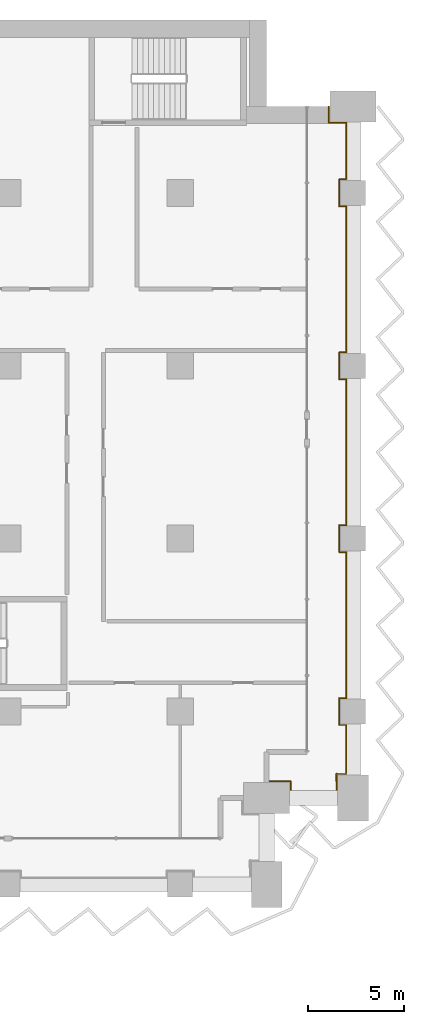
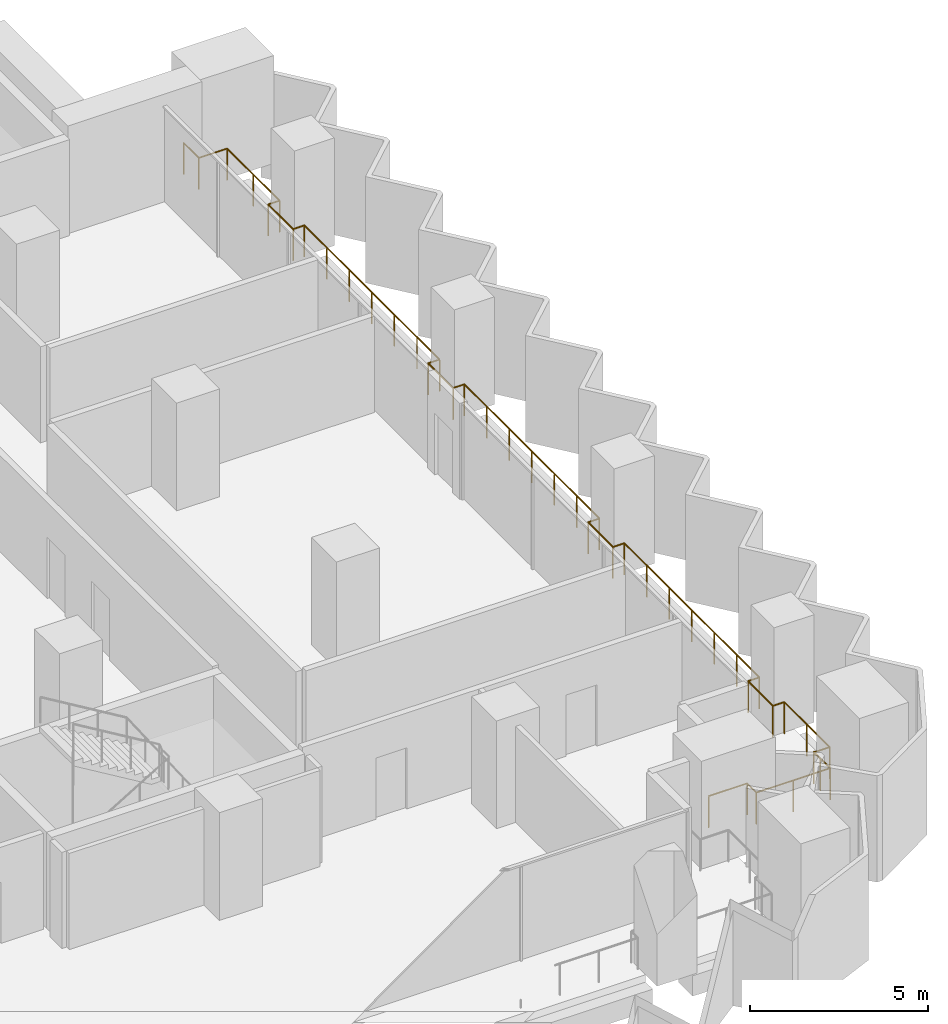
# One storey, part 28 of 28: 1 railing.
"""IFC4 building model written with IfcOpenShell, lengths in metres."""

from ifc_helpers import new_model, si_unit, direction, frame, origin, origin_2d, place, context, subcontext, project, spatial, circle, extrude, material, type_object, element, save


model = new_model("IFC4")

# Units and contexts
model_context = context("Model", 3, precision=1e-05, world=origin(), true_north=direction((0.0, 1.0)))
body_context = subcontext(model_context, "Body", "Model", "MODEL_VIEW")
ifc_project = project(units=[si_unit("LENGTHUNIT", "METRE"), si_unit("AREAUNIT", "SQUARE_METRE"), si_unit("VOLUMEUNIT", "CUBIC_METRE"), si_unit("PLANEANGLEUNIT", "RADIAN"), si_unit("MASSUNIT", "GRAM", prefix="KILO")], contexts=[model_context])

# Site, building, storey
site_placement = place(None, origin())
site = spatial("IfcSite", under=ifc_project, at=site_placement, CompositionType="ELEMENT")
building_placement = place(site_placement, origin())
building = spatial("IfcBuilding", under=site, at=building_placement, Name="Hunhe Ridgeline Campus", CompositionType="ELEMENT")
storey_placement = place(building_placement, frame((0.0, 0.0, 43.199951171875)))
storey = spatial("IfcBuildingStorey", under=building, at=storey_placement, Name="L09", CompositionType="ELEMENT", Elevation=43.199951171875)

# Railing
ifc_material = material(Name="Steel Q355", Category="steel")
railing_type = type_object("IfcRailingType", Name="Loggia guard 1100 Steel Q355", PredefinedType="GUARDRAIL", material=ifc_material)
railing_placement = place(storey_placement, frame((94.5, 59.3701171875, 0.0)))
element("IfcRailing", 1, at=railing_placement, inside=storey, type_object=railing_type, Name="Loggia guard 3", PredefinedType="GUARDRAIL", context=body_context, shape_type="SweptSolid", body=[
    extrude(circle(Radius=0.02392578125, at=origin_2d()), frame((0.0, 0.0, 1.076171875), z_axis=(1.0, 0.0, 0.0), x_axis=(0.0, 1.0, 0.0)), (0.0, 0.0, 1.0), 1.25),
    extrude(circle(Radius=0.02392578125, at=origin_2d()), frame((1.25, 0.0, 1.076171875), z_axis=(0.0, -1.0, 0.0), x_axis=(1.0, 0.0, 0.0)), (0.0, 0.0, 1.0), 0.52001953125),
    extrude(circle(Radius=0.02392578125, at=origin_2d()), frame((1.25, -0.52001953125, 1.076171875), z_axis=(1.0, 0.0, 0.0), x_axis=(0.0, 1.0, 0.0)), (0.0, 0.0, 1.0), 2.39990234375),
    extrude(circle(Radius=0.02392578125, at=origin_2d()), frame((3.64990234375, -0.52001953125, 1.076171875), z_axis=(0.0, 1.0, 0.0), x_axis=(-1.0, 0.0, 0.0)), (0.0, 0.0, 1.0), 0.919921875),
    extrude(circle(Radius=0.02392578125, at=origin_2d()), frame((3.64990234375, 0.39990234375, 1.076171875), z_axis=(-0.049998438503, -0.998749295943, 0.0), x_axis=(0.998749295943, -0.049998438503, 0.0)), (0.0, 0.0, 1.0), 0.400390625),
    extrude(circle(Radius=0.02392578125, at=origin_2d()), frame((3.6298828125, 0.0, 1.076171875), z_axis=(0.0, 1.0, 0.0), x_axis=(-1.0, 0.0, 0.0)), (0.0, 0.0, 1.0), 0.3798828125),
    extrude(circle(Radius=0.02392578125, at=origin_2d()), frame((3.6298828125, 0.3798828125, 1.076171875), z_axis=(1.0, 0.0, 0.0), x_axis=(0.0, 1.0, 0.0)), (0.0, 0.0, 1.0), 0.52001953125),
    extrude(circle(Radius=0.02392578125, at=origin_2d()), frame((4.14990234375, 0.3798828125, 1.076171875), z_axis=(0.0, 1.0, 0.0), x_axis=(-1.0, 0.0, 0.0)), (0.0, 0.0, 1.0), 2.550048828125),
    extrude(circle(Radius=0.02392578125, at=origin_2d()), frame((4.14990234375, 2.929931640625, 1.076171875), z_axis=(-1.0, 0.0, 0.0), x_axis=(0.0, -1.0, 0.0)), (0.0, 0.0, 1.0), 0.369873046875),
    extrude(circle(Radius=0.02392578125, at=origin_2d()), frame((3.780029296875, 2.929931640625, 1.076171875), z_axis=(0.0, 1.0, 0.0), x_axis=(-1.0, 0.0, 0.0)), (0.0, 0.0, 1.0), 1.39990234375),
    extrude(circle(Radius=0.02392578125, at=origin_2d()), frame((3.780029296875, 4.329833984375, 1.076171875), z_axis=(1.0, 0.0, 0.0), x_axis=(0.0, 1.0, 0.0)), (0.0, 0.0, 1.0), 0.369873046875),
    extrude(circle(Radius=0.02392578125, at=origin_2d()), frame((4.14990234375, 4.329833984375, 1.076171875), z_axis=(0.0, 1.0, 0.0), x_axis=(-1.0, 0.0, 0.0)), (0.0, 0.0, 1.0), 7.60009765625),
    extrude(circle(Radius=0.02392578125, at=origin_2d()), frame((4.14990234375, 11.929931640625, 1.076171875), z_axis=(-1.0, 0.0, 0.0), x_axis=(0.0, -1.0, 0.0)), (0.0, 0.0, 1.0), 0.369873046875),
    extrude(circle(Radius=0.02392578125, at=origin_2d()), frame((3.780029296875, 11.929931640625, 1.076171875), z_axis=(0.0, 1.0, 0.0), x_axis=(-1.0, 0.0, 0.0)), (0.0, 0.0, 1.0), 1.39990234375),
    extrude(circle(Radius=0.02392578125, at=origin_2d()), frame((3.780029296875, 13.329833984375, 1.076171875), z_axis=(1.0, 0.0, 0.0), x_axis=(0.0, 1.0, 0.0)), (0.0, 0.0, 1.0), 0.369873046875),
    extrude(circle(Radius=0.02392578125, at=origin_2d()), frame((4.14990234375, 13.329833984375, 1.076171875), z_axis=(0.0, 1.0, 0.0), x_axis=(-1.0, 0.0, 0.0)), (0.0, 0.0, 1.0), 7.60009765625),
    extrude(circle(Radius=0.02392578125, at=origin_2d()), frame((4.14990234375, 20.929931640625, 1.076171875), z_axis=(-1.0, 0.0, 0.0), x_axis=(0.0, -1.0, 0.0)), (0.0, 0.0, 1.0), 0.369873046875),
    extrude(circle(Radius=0.02392578125, at=origin_2d()), frame((3.780029296875, 20.929931640625, 1.076171875), z_axis=(0.0, 1.0, 0.0), x_axis=(-1.0, 0.0, 0.0)), (0.0, 0.0, 1.0), 1.39990234375),
    extrude(circle(Radius=0.02392578125, at=origin_2d()), frame((3.780029296875, 22.329833984375, 1.076171875), z_axis=(1.0, 0.0, 0.0), x_axis=(0.0, 1.0, 0.0)), (0.0, 0.0, 1.0), 0.369873046875),
    extrude(circle(Radius=0.02392578125, at=origin_2d()), frame((4.14990234375, 22.329833984375, 1.076171875), z_axis=(0.0, 1.0, 0.0), x_axis=(-1.0, 0.0, 0.0)), (0.0, 0.0, 1.0), 7.60009765625),
    extrude(circle(Radius=0.02392578125, at=origin_2d()), frame((4.14990234375, 29.929931640625, 1.076171875), z_axis=(-1.0, 0.0, 0.0), x_axis=(0.0, -1.0, 0.0)), (0.0, 0.0, 1.0), 0.369873046875),
    extrude(circle(Radius=0.02392578125, at=origin_2d()), frame((3.780029296875, 29.929931640625, 1.076171875), z_axis=(0.0, 1.0, 0.0), x_axis=(-1.0, 0.0, 0.0)), (0.0, 0.0, 1.0), 1.39990234375),
    extrude(circle(Radius=0.02392578125, at=origin_2d()), frame((3.780029296875, 31.329833984375, 1.076171875), z_axis=(1.0, 0.0, 0.0), x_axis=(0.0, 1.0, 0.0)), (0.0, 0.0, 1.0), 0.369873046875),
    extrude(circle(Radius=0.02392578125, at=origin_2d()), frame((4.14990234375, 31.329833984375, 1.076171875), z_axis=(0.0, 1.0, 0.0), x_axis=(-1.0, 0.0, 0.0)), (0.0, 0.0, 1.0), 2.949951171875),
    extrude(circle(Radius=0.02392578125, at=origin_2d()), frame((4.14990234375, 34.27978515625, 1.076171875), z_axis=(-1.0, 0.0, 0.0), x_axis=(0.0, -1.0, 0.0)), (0.0, 0.0, 1.0), 0.919921875),
    extrude(circle(Radius=0.02392578125, at=origin_2d()), frame((3.22998046875, 34.27978515625, 1.076171875), z_axis=(0.0, 1.0, 0.0), x_axis=(-1.0, 0.0, 0.0)), (0.0, 0.0, 1.0), 0.85009765625),
    extrude(circle(Radius=0.02099609375, at=origin_2d()), origin(), (0.0, 0.0, 1.0), 1.052001953125),
    extrude(circle(Radius=0.02099609375, at=origin_2d()), frame((1.25, 0.0, 0.0)), (0.0, 0.0, 1.0), 1.052001953125),
    extrude(circle(Radius=0.02099609375, at=origin_2d()), frame((1.25, -0.52001953125, 0.0)), (0.0, 0.0, 1.0), 1.052001953125),
    extrude(circle(Radius=0.02099609375, at=origin_2d()), frame((2.449951171875, -0.52001953125, 0.0)), (0.0, 0.0, 1.0), 1.052001953125),
    extrude(circle(Radius=0.02099609375, at=origin_2d()), frame((3.64990234375, -0.52001953125, 0.0)), (0.0, 0.0, 1.0), 1.052001953125),
    extrude(circle(Radius=0.02099609375, at=origin_2d()), frame((3.64990234375, 0.39990234375, 0.0)), (0.0, 0.0, 1.0), 1.052001953125),
    extrude(circle(Radius=0.02099609375, at=origin_2d()), frame((3.6298828125, 0.0, 0.0)), (0.0, 0.0, 1.0), 1.052001953125),
    extrude(circle(Radius=0.02099609375, at=origin_2d()), frame((3.6298828125, 0.3798828125, 0.0)), (0.0, 0.0, 1.0), 1.052001953125),
    extrude(circle(Radius=0.02099609375, at=origin_2d()), frame((4.14990234375, 0.3798828125, 0.0)), (0.0, 0.0, 1.0), 1.052001953125),
    extrude(circle(Radius=0.02099609375, at=origin_2d()), frame((4.14990234375, 1.65478515625, 0.0)), (0.0, 0.0, 1.0), 1.052001953125),
    extrude(circle(Radius=0.02099609375, at=origin_2d()), frame((4.14990234375, 2.929931640625, 0.0)), (0.0, 0.0, 1.0), 1.052001953125),
    extrude(circle(Radius=0.02099609375, at=origin_2d()), frame((3.780029296875, 2.929931640625, 0.0)), (0.0, 0.0, 1.0), 1.052001953125),
    extrude(circle(Radius=0.02099609375, at=origin_2d()), frame((3.780029296875, 4.329833984375, 0.0)), (0.0, 0.0, 1.0), 1.052001953125),
    extrude(circle(Radius=0.02099609375, at=origin_2d()), frame((4.14990234375, 4.329833984375, 0.0)), (0.0, 0.0, 1.0), 1.052001953125),
    extrude(circle(Radius=0.02099609375, at=origin_2d()), frame((4.14990234375, 5.596435546875, 0.0)), (0.0, 0.0, 1.0), 1.052001953125),
    extrude(circle(Radius=0.02099609375, at=origin_2d()), frame((4.14990234375, 6.86328125, 0.0)), (0.0, 0.0, 1.0), 1.052001953125),
    extrude(circle(Radius=0.02099609375, at=origin_2d()), frame((4.14990234375, 8.1298828125, 0.0)), (0.0, 0.0, 1.0), 1.052001953125),
    extrude(circle(Radius=0.02099609375, at=origin_2d()), frame((4.14990234375, 9.396484375, 0.0)), (0.0, 0.0, 1.0), 1.052001953125),
    extrude(circle(Radius=0.02099609375, at=origin_2d()), frame((4.14990234375, 10.663330078125, 0.0)), (0.0, 0.0, 1.0), 1.052001953125),
    extrude(circle(Radius=0.02099609375, at=origin_2d()), frame((4.14990234375, 11.929931640625, 0.0)), (0.0, 0.0, 1.0), 1.052001953125),
    extrude(circle(Radius=0.02099609375, at=origin_2d()), frame((3.780029296875, 11.929931640625, 0.0)), (0.0, 0.0, 1.0), 1.052001953125),
    extrude(circle(Radius=0.02099609375, at=origin_2d()), frame((3.780029296875, 13.329833984375, 0.0)), (0.0, 0.0, 1.0), 1.052001953125),
    extrude(circle(Radius=0.02099609375, at=origin_2d()), frame((4.14990234375, 13.329833984375, 0.0)), (0.0, 0.0, 1.0), 1.052001953125),
    extrude(circle(Radius=0.02099609375, at=origin_2d()), frame((4.14990234375, 14.596435546875, 0.0)), (0.0, 0.0, 1.0), 1.052001953125),
    extrude(circle(Radius=0.02099609375, at=origin_2d()), frame((4.14990234375, 15.86328125, 0.0)), (0.0, 0.0, 1.0), 1.052001953125),
    extrude(circle(Radius=0.02099609375, at=origin_2d()), frame((4.14990234375, 17.1298828125, 0.0)), (0.0, 0.0, 1.0), 1.052001953125),
    extrude(circle(Radius=0.02099609375, at=origin_2d()), frame((4.14990234375, 18.396484375, 0.0)), (0.0, 0.0, 1.0), 1.052001953125),
    extrude(circle(Radius=0.02099609375, at=origin_2d()), frame((4.14990234375, 19.663330078125, 0.0)), (0.0, 0.0, 1.0), 1.052001953125),
    extrude(circle(Radius=0.02099609375, at=origin_2d()), frame((4.14990234375, 20.929931640625, 0.0)), (0.0, 0.0, 1.0), 1.052001953125),
    extrude(circle(Radius=0.02099609375, at=origin_2d()), frame((3.780029296875, 20.929931640625, 0.0)), (0.0, 0.0, 1.0), 1.052001953125),
    extrude(circle(Radius=0.02099609375, at=origin_2d()), frame((3.780029296875, 22.329833984375, 0.0)), (0.0, 0.0, 1.0), 1.052001953125),
    extrude(circle(Radius=0.02099609375, at=origin_2d()), frame((4.14990234375, 22.329833984375, 0.0)), (0.0, 0.0, 1.0), 1.052001953125),
    extrude(circle(Radius=0.02099609375, at=origin_2d()), frame((4.14990234375, 23.596435546875, 0.0)), (0.0, 0.0, 1.0), 1.052001953125),
    extrude(circle(Radius=0.02099609375, at=origin_2d()), frame((4.14990234375, 24.86328125, 0.0)), (0.0, 0.0, 1.0), 1.052001953125),
    extrude(circle(Radius=0.02099609375, at=origin_2d()), frame((4.14990234375, 26.1298828125, 0.0)), (0.0, 0.0, 1.0), 1.052001953125),
    extrude(circle(Radius=0.02099609375, at=origin_2d()), frame((4.14990234375, 27.396484375, 0.0)), (0.0, 0.0, 1.0), 1.052001953125),
    extrude(circle(Radius=0.02099609375, at=origin_2d()), frame((4.14990234375, 28.663330078125, 0.0)), (0.0, 0.0, 1.0), 1.052001953125),
    extrude(circle(Radius=0.02099609375, at=origin_2d()), frame((4.14990234375, 29.929931640625, 0.0)), (0.0, 0.0, 1.0), 1.052001953125),
    extrude(circle(Radius=0.02099609375, at=origin_2d()), frame((3.780029296875, 29.929931640625, 0.0)), (0.0, 0.0, 1.0), 1.052001953125),
    extrude(circle(Radius=0.02099609375, at=origin_2d()), frame((3.780029296875, 31.329833984375, 0.0)), (0.0, 0.0, 1.0), 1.052001953125),
    extrude(circle(Radius=0.02099609375, at=origin_2d()), frame((4.14990234375, 31.329833984375, 0.0)), (0.0, 0.0, 1.0), 1.052001953125),
    extrude(circle(Radius=0.02099609375, at=origin_2d()), frame((4.14990234375, 32.8046875, 0.0)), (0.0, 0.0, 1.0), 1.052001953125),
    extrude(circle(Radius=0.02099609375, at=origin_2d()), frame((4.14990234375, 34.27978515625, 0.0)), (0.0, 0.0, 1.0), 1.052001953125),
    extrude(circle(Radius=0.02099609375, at=origin_2d()), frame((3.22998046875, 34.27978515625, 0.0)), (0.0, 0.0, 1.0), 1.052001953125),
    extrude(circle(Radius=0.02099609375, at=origin_2d()), frame((3.22998046875, 35.1298828125, 0.0)), (0.0, 0.0, 1.0), 1.052001953125),
])

save(model, "model.ifc")
